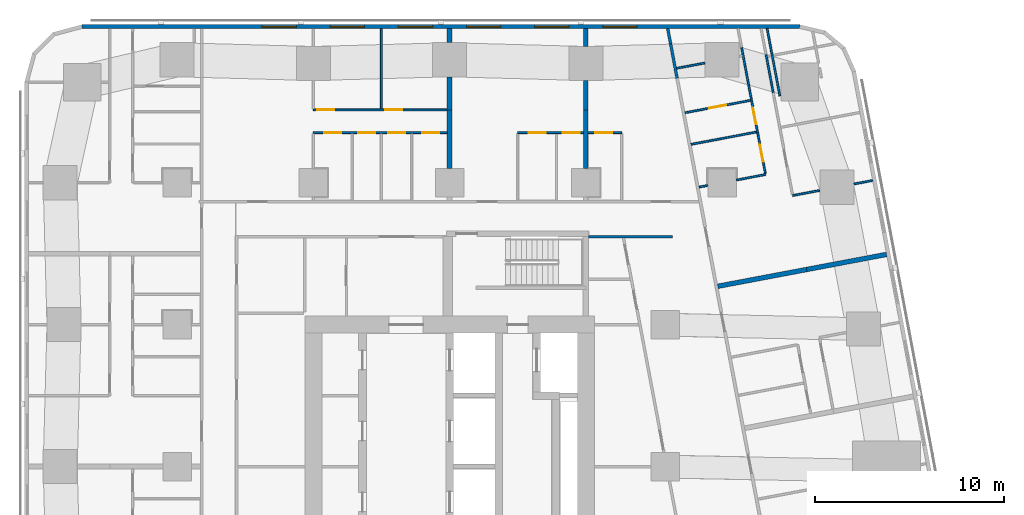
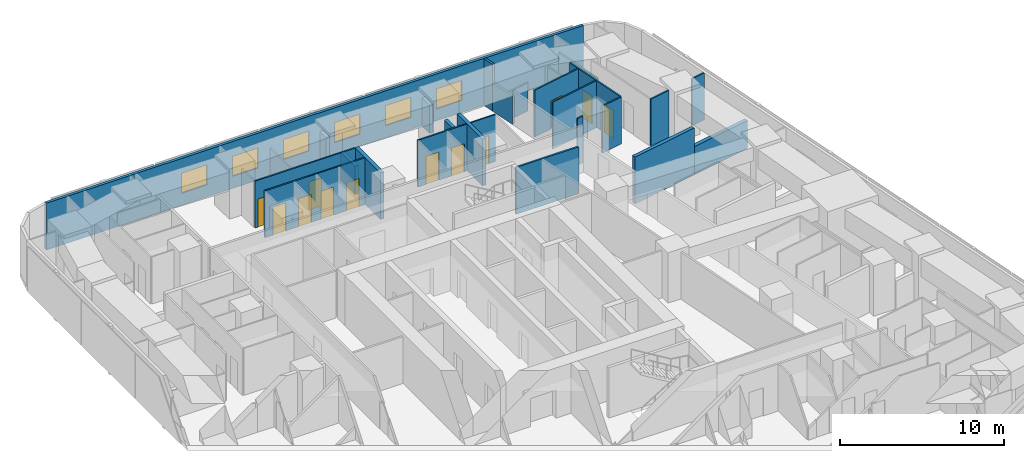
# One storey, part 10 of 15: 28 walls, 12 doors, 6 windows, 18 openings.
"""IFC4 building model written with IfcOpenShell, lengths in metres."""

from ifc_helpers import new_model, si_unit, direction, frame, frame_2d, origin, place, context, subcontext, project, spatial, rectangle, extrude, material, layer, layer_set, type_object, element, fill, save


model = new_model("IFC4")

# Units and contexts
model_context = context("Model", 3, precision=1e-05, world=origin(), true_north=direction((0.0, 1.0)))
body_context = subcontext(model_context, "Body", "Model", "MODEL_VIEW")
ifc_project = project(units=[si_unit("LENGTHUNIT", "METRE"), si_unit("AREAUNIT", "SQUARE_METRE"), si_unit("VOLUMEUNIT", "CUBIC_METRE"), si_unit("PLANEANGLEUNIT", "RADIAN"), si_unit("MASSUNIT", "GRAM", prefix="KILO")], contexts=[model_context])

# Site, building, storey
site_placement = place(None, origin())
site = spatial("IfcSite", under=ifc_project, at=site_placement, CompositionType="ELEMENT")
building_placement = place(site_placement, origin())
building = spatial("IfcBuilding", under=site, at=building_placement, Name="Sheger Commons Tower", CompositionType="ELEMENT")
storey_placement = place(building_placement, frame((0.0, 0.0, 180.800048828125)))
storey = spatial("IfcBuildingStorey", under=building, at=storey_placement, Name="L46", CompositionType="ELEMENT", Elevation=180.800048828125)

# Walls
ifc_material_1 = material(Name="Hollow concrete block masonry, skimmed both sides", Category="masonry")
ifc_layer_1 = layer(ifc_material_1, 0.14990234375)
ifc_layer_set_1 = layer_set([ifc_layer_1], Name="CORRIDOR WALL 150")
wall_type_1 = type_object("IfcWallType", Name="CORRIDOR WALL 150", PredefinedType="SOLIDWALL", material=ifc_layer_set_1)
wall_1_placement = place(storey_placement, frame((33.126953125, 45.64990234375, 0.0), z_axis=(0.0, 0.0, 1.0), x_axis=(0.186176514576, -0.982516313056, 0.0)))
element("IfcWall", 1, at=wall_1_placement, inside=storey, type_object=wall_type_1, Name="Corridor wall L46", PredefinedType="SOLIDWALL", context=body_context, shape_type="SweptSolid", body=[
    extrude(rectangle(XDim=0.827392578125, YDim=0.14990234375, at=frame_2d((0.41357421875, 0.0))), origin(), (0.0, 0.0, 1.0), 3.5),
])
wall_2_placement = place(storey_placement, frame((33.281005859375, 44.8369140625, 0.0), z_axis=(0.0, 0.0, 1.0), x_axis=(0.185198323004, -0.982701165745, 0.0)))
element("IfcWall", 2, at=wall_2_placement, inside=storey, type_object=wall_type_1, Name="Corridor wall L46", PredefinedType="SOLIDWALL", context=body_context, shape_type="SweptSolid", body=[
    extrude(rectangle(XDim=1.846923828125, YDim=0.14990234375, at=frame_2d((0.92333984375, 0.0))), origin(), (0.0, 0.0, 1.0), 2.099853515625),
])
ifc_material_2 = material(Name="Dense concrete block masonry, plastered both sides (separating wall between flats)", Category="masonry")
ifc_layer_2 = layer(ifc_material_2, 0.25)
ifc_layer_set_2 = layer_set([ifc_layer_2], Name="DEMISING WALL 250")
wall_type_2 = type_object("IfcWallType", Name="DEMISING WALL 250", PredefinedType="SOLIDWALL", material=ifc_layer_set_2)
wall_3_placement = place(storey_placement, frame((44.693115234375, 33.712890625, 0.0), z_axis=(0.0, 0.0, 1.0), x_axis=(-0.982633535512, -0.185556823879, 0.0)))
element("IfcWall", 3, at=wall_3_placement, inside=storey, type_object=wall_type_2, Name="Demising wall L46", PredefinedType="SOLIDWALL", context=body_context, shape_type="SweptSolid", body=[
    extrude(rectangle(XDim=4.2998046875, YDim=0.25, at=frame_2d((2.14990234375, 0.0))), origin(), (0.0, 0.0, 1.0), 2.099853515625),
])
wall_4_placement = place(storey_placement, frame((40.468017578125, 32.9150390625, 0.0), z_axis=(0.0, 0.0, 1.0), x_axis=(-0.982635807605, -0.185544791394, 0.0)))
element("IfcWall", 4, at=wall_4_placement, inside=storey, type_object=wall_type_2, Name="Demising wall L46", PredefinedType="SOLIDWALL", context=body_context, shape_type="SweptSolid", body=[
    extrude(rectangle(XDim=4.775146484375, YDim=0.25, at=frame_2d((2.3876953125, 0.0))), origin(), (0.0, 0.0, 1.0), 3.5),
])
wall_5_placement = place(storey_placement, frame((21.60009765625, 41.35009765625, 0.0), z_axis=(0.0, 0.0, 1.0), x_axis=(0.0, 1.0, 0.0)))
element("IfcWall", 5, at=wall_5_placement, inside=storey, type_object=wall_type_2, Name="Demising wall L46", PredefinedType="SOLIDWALL", context=body_context, shape_type="SweptSolid", body=[
    extrude(rectangle(XDim=1.7490234375, YDim=0.25, at=frame_2d((0.87451171875, 0.0))), origin(), (0.0, 0.0, 1.0), 2.099853515625),
])
wall_6_placement = place(storey_placement, frame((21.60009765625, 44.90087890625, 0.0), z_axis=(0.0, 0.0, 1.0), x_axis=(0.0, 1.0, 0.0)))
element("IfcWall", 6, at=wall_6_placement, inside=storey, type_object=wall_type_2, Name="Demising wall L46", PredefinedType="SOLIDWALL", context=body_context, shape_type="SweptSolid", body=[
    extrude(rectangle(XDim=0.7490234375, YDim=0.25, at=frame_2d((0.37451171875, 0.0))), origin(), (0.0, 0.0, 1.0), 2.099853515625),
])
wall_7_placement = place(storey_placement, frame((21.60009765625, 38.2509765625, 0.0), z_axis=(0.0, 0.0, 1.0), x_axis=(0.0, 1.0, 0.0)))
element("IfcWall", 7, at=wall_7_placement, inside=storey, type_object=wall_type_2, Name="Demising wall L46", PredefinedType="SOLIDWALL", context=body_context, shape_type="SweptSolid", body=[
    extrude(rectangle(XDim=3.09912109375, YDim=0.25, at=frame_2d((1.549560546875, 0.0))), origin(), (0.0, 0.0, 1.0), 3.5),
])
wall_8_placement = place(storey_placement, frame((28.800048828125, 41.35009765625, 0.0), z_axis=(0.0, 0.0, 1.0), x_axis=(0.0, 1.0, 0.0)))
element("IfcWall", 8, at=wall_8_placement, inside=storey, type_object=wall_type_2, Name="Demising wall L46", PredefinedType="SOLIDWALL", context=body_context, shape_type="SweptSolid", body=[
    extrude(rectangle(XDim=1.548828125, YDim=0.25, at=frame_2d((0.7744140625, 0.0))), origin(), (0.0, 0.0, 1.0), 2.099853515625),
])
wall_9_placement = place(storey_placement, frame((28.800048828125, 44.700927734375, 0.0), z_axis=(0.0, 0.0, 1.0), x_axis=(0.0, 1.0, 0.0)))
element("IfcWall", 9, at=wall_9_placement, inside=storey, type_object=wall_type_2, Name="Demising wall L46", PredefinedType="SOLIDWALL", context=body_context, shape_type="SweptSolid", body=[
    extrude(rectangle(XDim=0.948974609375, YDim=0.25, at=frame_2d((0.474609375, 0.0))), origin(), (0.0, 0.0, 1.0), 2.099853515625),
])
wall_10_placement = place(storey_placement, frame((28.800048828125, 38.2509765625, 0.0), z_axis=(0.0, 0.0, 1.0), x_axis=(0.0, 1.0, 0.0)))
element("IfcWall", 10, at=wall_10_placement, inside=storey, type_object=wall_type_2, Name="Demising wall L46", PredefinedType="SOLIDWALL", context=body_context, shape_type="SweptSolid", body=[
    extrude(rectangle(XDim=3.09912109375, YDim=0.25, at=frame_2d((1.549560546875, 0.0))), origin(), (0.0, 0.0, 1.0), 3.5),
])

# Wall, openings, windows
ifc_material_3 = material(Name="Rendered concrete block masonry, dark grey", Category="masonry")
ifc_layer_3 = layer(ifc_material_3, 0.199951171875)
ifc_layer_set_3 = layer_set([ifc_layer_3], Name="FACADE WALL 200")
wall_type_3 = type_object("IfcWallType", Name="FACADE WALL 200", PredefinedType="SOLIDWALL", material=ifc_layer_set_3)
wall_11_placement = place(storey_placement, frame((40.10595703125, 45.75, 0.0), z_axis=(0.0, 0.0, 1.0), x_axis=(-1.0, 0.0, 0.0)))
wall_11 = element("IfcWall", 11, at=wall_11_placement, inside=storey, type_object=wall_type_3, Name="Facade wall L46", PredefinedType="SOLIDWALL", context=body_context, shape_type="SweptSolid", body=[
    extrude(rectangle(XDim=37.94287109375, YDim=0.199951171875, at=frame_2d((18.971435546875, 0.0))), origin(), (0.0, 0.0, 1.0), 3.5),
])
opening_1_placement = place(wall_11_placement, frame((8.60595703125, 0.0, 0.89990234375)))
opening_1 = element("IfcOpeningElement", 12, at=opening_1_placement, cuts=wall_11, Name="Opening W2", PredefinedType="OPENING", context=body_context, shape_type="SweptSolid", body=[
    extrude(rectangle(XDim=1.800048828125, YDim=1.5, at=frame_2d((0.89990234375, 0.75))), frame((0.0, 0.10986328125, 0.0), z_axis=(0.0, -1.0, 0.0), x_axis=(1.0, 0.0, 0.0)), (0.0, 0.0, 1.0), 0.219970703125),
])
opening_2_placement = place(wall_11_placement, frame((12.2060546875, 0.0, 0.89990234375)))
opening_2 = element("IfcOpeningElement", 13, at=opening_2_placement, cuts=wall_11, Name="Opening W2", PredefinedType="OPENING", context=body_context, shape_type="SweptSolid", body=[
    extrude(rectangle(XDim=1.800048828125, YDim=1.5, at=frame_2d((0.89990234375, 0.75))), frame((0.0, 0.10986328125, 0.0), z_axis=(0.0, -1.0, 0.0), x_axis=(1.0, 0.0, 0.0)), (0.0, 0.0, 1.0), 0.219970703125),
])
opening_3_placement = place(wall_11_placement, frame((15.805908203125, 0.0, 0.89990234375)))
opening_3 = element("IfcOpeningElement", 14, at=opening_3_placement, cuts=wall_11, Name="Opening W2", PredefinedType="OPENING", context=body_context, shape_type="SweptSolid", body=[
    extrude(rectangle(XDim=1.800048828125, YDim=1.5, at=frame_2d((0.89990234375, 0.75))), frame((0.0, 0.10986328125, 0.0), z_axis=(0.0, -1.0, 0.0), x_axis=(1.0, 0.0, 0.0)), (0.0, 0.0, 1.0), 0.219970703125),
])
opening_4_placement = place(wall_11_placement, frame((19.406005859375, 0.0, 0.89990234375)))
opening_4 = element("IfcOpeningElement", 15, at=opening_4_placement, cuts=wall_11, Name="Opening W2", PredefinedType="OPENING", context=body_context, shape_type="SweptSolid", body=[
    extrude(rectangle(XDim=1.800048828125, YDim=1.5, at=frame_2d((0.89990234375, 0.75))), frame((0.0, 0.10986328125, 0.0), z_axis=(0.0, -1.0, 0.0), x_axis=(1.0, 0.0, 0.0)), (0.0, 0.0, 1.0), 0.219970703125),
])
opening_5_placement = place(wall_11_placement, frame((23.006103515625, 0.0, 0.89990234375)))
opening_5 = element("IfcOpeningElement", 16, at=opening_5_placement, cuts=wall_11, Name="Opening W2", PredefinedType="OPENING", context=body_context, shape_type="SweptSolid", body=[
    extrude(rectangle(XDim=1.800048828125, YDim=1.5, at=frame_2d((0.89990234375, 0.75))), frame((0.0, 0.10986328125, 0.0), z_axis=(0.0, -1.0, 0.0), x_axis=(1.0, 0.0, 0.0)), (0.0, 0.0, 1.0), 0.219970703125),
])
opening_6_placement = place(wall_11_placement, frame((26.60595703125, 0.0, 0.89990234375)))
opening_6 = element("IfcOpeningElement", 17, at=opening_6_placement, cuts=wall_11, Name="Opening W2", PredefinedType="OPENING", context=body_context, shape_type="SweptSolid", body=[
    extrude(rectangle(XDim=1.800048828125, YDim=1.5, at=frame_2d((0.89990234375, 0.75))), frame((0.0, 0.10986328125, 0.0), z_axis=(0.0, -1.0, 0.0), x_axis=(1.0, 0.0, 0.0)), (0.0, 0.0, 1.0), 0.219970703125),
])
ifc_material_4 = material(Name="Black aluminium frame, dark tinted double glazing", Category="aluminium")
window_type = type_object("IfcWindowType", Name="WINDOW W2 1800x1500", PartitioningType="SINGLE_PANEL", PredefinedType="WINDOW", material=ifc_material_4)
window_1_placement = place(opening_1_placement, origin())
window_1 = element("IfcWindow", 18, at=window_1_placement, inside=storey, type_object=window_type, Name="Window W2 1800X1500", OverallHeight=1.5, OverallWidth=1.800048828125, PartitioningType="SINGLE_PANEL", PredefinedType="WINDOW", context=body_context, shape_type="SweptSolid", body=[
    extrude(rectangle(XDim=1.800048828125, YDim=1.5, at=frame_2d((0.89990234375, 0.75))), frame((0.0, 0.030029296875, 0.0), z_axis=(0.0, -1.0, 0.0), x_axis=(1.0, 0.0, 0.0)), (0.0, 0.0, 1.0), 0.06005859375),
])
fill(opening_1, window_1)
window_2_placement = place(opening_2_placement, origin())
window_2 = element("IfcWindow", 19, at=window_2_placement, inside=storey, type_object=window_type, Name="Window W2 1800X1500", OverallHeight=1.5, OverallWidth=1.800048828125, PartitioningType="SINGLE_PANEL", PredefinedType="WINDOW", context=body_context, shape_type="SweptSolid", body=[
    extrude(rectangle(XDim=1.800048828125, YDim=1.5, at=frame_2d((0.89990234375, 0.75))), frame((0.0, 0.030029296875, 0.0), z_axis=(0.0, -1.0, 0.0), x_axis=(1.0, 0.0, 0.0)), (0.0, 0.0, 1.0), 0.06005859375),
])
fill(opening_2, window_2)
window_3_placement = place(opening_3_placement, origin())
window_3 = element("IfcWindow", 20, at=window_3_placement, inside=storey, type_object=window_type, Name="Window W2 1800X1500", OverallHeight=1.5, OverallWidth=1.800048828125, PartitioningType="SINGLE_PANEL", PredefinedType="WINDOW", context=body_context, shape_type="SweptSolid", body=[
    extrude(rectangle(XDim=1.800048828125, YDim=1.5, at=frame_2d((0.89990234375, 0.75))), frame((0.0, 0.030029296875, 0.0), z_axis=(0.0, -1.0, 0.0), x_axis=(1.0, 0.0, 0.0)), (0.0, 0.0, 1.0), 0.06005859375),
])
fill(opening_3, window_3)
window_4_placement = place(opening_4_placement, origin())
window_4 = element("IfcWindow", 21, at=window_4_placement, inside=storey, type_object=window_type, Name="Window W2 1800X1500", OverallHeight=1.5, OverallWidth=1.800048828125, PartitioningType="SINGLE_PANEL", PredefinedType="WINDOW", context=body_context, shape_type="SweptSolid", body=[
    extrude(rectangle(XDim=1.800048828125, YDim=1.5, at=frame_2d((0.89990234375, 0.75))), frame((0.0, 0.030029296875, 0.0), z_axis=(0.0, -1.0, 0.0), x_axis=(1.0, 0.0, 0.0)), (0.0, 0.0, 1.0), 0.06005859375),
])
fill(opening_4, window_4)
window_5_placement = place(opening_5_placement, origin())
window_5 = element("IfcWindow", 22, at=window_5_placement, inside=storey, type_object=window_type, Name="Window W2 1800X1500", OverallHeight=1.5, OverallWidth=1.800048828125, PartitioningType="SINGLE_PANEL", PredefinedType="WINDOW", context=body_context, shape_type="SweptSolid", body=[
    extrude(rectangle(XDim=1.800048828125, YDim=1.5, at=frame_2d((0.89990234375, 0.75))), frame((0.0, 0.030029296875, 0.0), z_axis=(0.0, -1.0, 0.0), x_axis=(1.0, 0.0, 0.0)), (0.0, 0.0, 1.0), 0.06005859375),
])
fill(opening_5, window_5)
window_6_placement = place(opening_6_placement, origin())
window_6 = element("IfcWindow", 23, at=window_6_placement, inside=storey, type_object=window_type, Name="Window W2 1800X1500", OverallHeight=1.5, OverallWidth=1.800048828125, PartitioningType="SINGLE_PANEL", PredefinedType="WINDOW", context=body_context, shape_type="SweptSolid", body=[
    extrude(rectangle(XDim=1.800048828125, YDim=1.5, at=frame_2d((0.89990234375, 0.75))), frame((0.0, 0.030029296875, 0.0), z_axis=(0.0, -1.0, 0.0), x_axis=(1.0, 0.0, 0.0)), (0.0, 0.0, 1.0), 0.06005859375),
])
fill(opening_6, window_6)

# Walls
ifc_material_5 = material(Name="Gypsum board on steel studs", Category="steel")
ifc_layer_4 = layer(ifc_material_5, 0.10009765625)
ifc_layer_set_4 = layer_set([ifc_layer_4], Name="PARTITION 100")
wall_type_4 = type_object("IfcWallType", Name="PARTITION 100", PredefinedType="PARTITIONING", material=ifc_layer_set_4)
wall_12_placement = place(storey_placement, frame((39.053955078125, 42.0849609375, 0.0), z_axis=(0.0, 0.0, 1.0), x_axis=(-0.185791584218, 0.982589175207, 0.0)))
element("IfcWall", 24, at=wall_12_placement, inside=storey, type_object=wall_type_4, Name="Partition L46", PredefinedType="PARTITIONING", context=body_context, shape_type="SweptSolid", body=[
    extrude(rectangle(XDim=3.628173828125, YDim=0.10009765625, at=frame_2d((1.81396484375, 0.0))), origin(), (0.0, 0.0, 1.0), 2.099853515625),
])
wall_13_placement = place(storey_placement, frame((38.318115234375, 44.298095703125, 0.0), z_axis=(0.0, 0.0, 1.0), x_axis=(0.185481135188, -0.982647825261, 0.0)))
element("IfcWall", 25, at=wall_13_placement, inside=storey, type_object=wall_type_4, Name="Partition L46", PredefinedType="PARTITIONING", context=body_context, shape_type="SweptSolid", body=[
    extrude(rectangle(XDim=2.06396484375, YDim=0.10009765625, at=frame_2d((1.031982421875, 0.0))), origin(), (0.0, 0.0, 1.0), 2.099853515625),
])
wall_14_placement = place(storey_placement, frame((37.027099609375, 44.666015625, 0.0), z_axis=(0.0, 0.0, 1.0), x_axis=(0.1855674151, -0.982631535446, 0.0)))
element("IfcWall", 26, at=wall_14_placement, inside=storey, type_object=wall_type_4, Name="Partition L46", PredefinedType="PARTITIONING", context=body_context, shape_type="SweptSolid", body=[
    extrude(rectangle(XDim=2.06298828125, YDim=0.10009765625, at=frame_2d((1.031494140625, 0.0))), origin(), (0.0, 0.0, 1.0), 2.099853515625),
])

# Wall, openings, doors
wall_15_placement = place(storey_placement, frame((37.409912109375, 42.638916015625, 0.0), z_axis=(0.0, 0.0, 1.0), x_axis=(0.185579683022, -0.982629218601, 0.0)))
wall_15 = element("IfcWall", 27, at=wall_15_placement, inside=storey, type_object=wall_type_4, Name="Partition L46", PredefinedType="PARTITIONING", context=body_context, shape_type="SweptSolid", body=[
    extrude(rectangle(XDim=4.7373046875, YDim=0.10009765625, at=frame_2d((2.36865234375, 0.0))), origin(), (0.0, 0.0, 1.0), 3.5),
])
opening_7_placement = place(wall_15_placement, frame((3.18896484375, 0.0, 0.0)))
opening_7 = element("IfcOpeningElement", 28, at=opening_7_placement, cuts=wall_15, Name="Opening D2", PredefinedType="OPENING", context=body_context, shape_type="SweptSolid", body=[
    extrude(rectangle(XDim=0.89990234375, YDim=2.10009765625, at=frame_2d((0.449951171875, 1.050048828125))), frame((0.0, 0.06005859375, 0.0), z_axis=(0.0, -1.0, 0.0), x_axis=(1.0, 0.0, 0.0)), (0.0, 0.0, 1.0), 0.1201171875),
])
opening_8_placement = place(wall_15_placement, frame((1.19091796875, 0.0, 0.0)))
opening_8 = element("IfcOpeningElement", 29, at=opening_8_placement, cuts=wall_15, Name="Opening D2", PredefinedType="OPENING", context=body_context, shape_type="SweptSolid", body=[
    extrude(rectangle(XDim=0.89990234375, YDim=2.10009765625, at=frame_2d((0.449951171875, 1.050048828125))), frame((0.0, 0.06005859375, 0.0), z_axis=(0.0, -1.0, 0.0), x_axis=(1.0, 0.0, 0.0)), (0.0, 0.0, 1.0), 0.1201171875),
])
ifc_material_6 = material(Name="Timber door set", Category="wood")
door_type = type_object("IfcDoorType", Name="INTERNAL DOOR 900x2100", OperationType="NOTDEFINED", PredefinedType="DOOR", material=ifc_material_6)
door_1_placement = place(opening_7_placement, origin())
door_1 = element("IfcDoor", 30, at=door_1_placement, inside=storey, type_object=door_type, Name="Bathroom door", OperationType="SINGLE_SWING_LEFT", OverallHeight=2.10009765625, OverallWidth=0.89990234375, PredefinedType="DOOR", context=body_context, shape_type="SweptSolid", body=[
    extrude(rectangle(XDim=0.89990234375, YDim=2.10009765625, at=frame_2d((0.449951171875, 1.050048828125))), frame((0.0, 0.02490234375, 0.0), z_axis=(0.0, -1.0, 0.0), x_axis=(1.0, 0.0, 0.0)), (0.0, 0.0, 1.0), 0.050048828125),
])
fill(opening_7, door_1)
door_2_placement = place(opening_8_placement, origin())
door_2 = element("IfcDoor", 31, at=door_2_placement, inside=storey, type_object=door_type, Name="Laundry room door", OperationType="SINGLE_SWING_LEFT", OverallHeight=2.10009765625, OverallWidth=0.89990234375, PredefinedType="DOOR", context=body_context, shape_type="SweptSolid", body=[
    extrude(rectangle(XDim=0.89990234375, YDim=2.10009765625, at=frame_2d((0.449951171875, 1.050048828125))), frame((0.0, 0.02490234375, 0.0), z_axis=(0.0, -1.0, 0.0), x_axis=(1.0, 0.0, 0.0)), (0.0, 0.0, 1.0), 0.050048828125),
])
fill(opening_8, door_2)

# Walls
wall_16_placement = place(storey_placement, frame((43.955078125, 37.6201171875, 0.0), z_axis=(0.0, 0.0, 1.0), x_axis=(-0.982666697719, -0.185381124159, 0.0)))
element("IfcWall", 32, at=wall_16_placement, inside=storey, type_object=wall_type_4, Name="Partition L46", PredefinedType="PARTITIONING", context=body_context, shape_type="SweptSolid", body=[
    extrude(rectangle(XDim=0.998291015625, YDim=0.10009765625, at=frame_2d((0.4990234375, 0.0))), origin(), (0.0, 0.0, 1.0), 3.5),
])
wall_17_placement = place(storey_placement, frame((41.154052734375, 37.091064453125, 0.0), z_axis=(0.0, 0.0, 1.0), x_axis=(-0.982617614942, -0.185641112921, 0.0)))
element("IfcWall", 33, at=wall_17_placement, inside=storey, type_object=wall_type_4, Name="Partition L46", PredefinedType="PARTITIONING", context=body_context, shape_type="SweptSolid", body=[
    extrude(rectangle(XDim=1.44921875, YDim=0.10009765625, at=frame_2d((0.724609375, 0.0))), origin(), (0.0, 0.0, 1.0), 3.5),
])
wall_18_placement = place(storey_placement, frame((35.090087890625, 43.827880859375, 0.0), z_axis=(0.0, 0.0, 1.0), x_axis=(-0.982683801717, -0.185290436461, 0.0)))
element("IfcWall", 34, at=wall_18_placement, inside=storey, type_object=wall_type_4, Name="Partition L46", PredefinedType="PARTITIONING", context=body_context, shape_type="SweptSolid", body=[
    extrude(rectangle(XDim=1.51513671875, YDim=0.10009765625, at=frame_2d((0.757568359375, 0.0))), origin(), (0.0, 0.0, 1.0), 2.099853515625),
])
wall_19_placement = place(storey_placement, frame((37.822998046875, 40.181884765625, 0.0), z_axis=(0.0, 0.0, 1.0), x_axis=(-0.98263926043, -0.185526504472, 0.0)))
element("IfcWall", 35, at=wall_19_placement, inside=storey, type_object=wall_type_4, Name="Partition L46", PredefinedType="PARTITIONING", context=body_context, shape_type="SweptSolid", body=[
    extrude(rectangle(XDim=3.524169921875, YDim=0.10009765625, at=frame_2d((1.76220703125, 0.0))), origin(), (0.0, 0.0, 1.0), 3.5),
])
wall_20_placement = place(storey_placement, frame((38.299072265625, 37.93505859375, 0.0), z_axis=(0.0, 0.0, 1.0), x_axis=(-0.98258870752, -0.18579405764, 0.0)))
element("IfcWall", 36, at=wall_20_placement, inside=storey, type_object=wall_type_4, Name="Partition L46", PredefinedType="PARTITIONING", context=body_context, shape_type="SweptSolid", body=[
    extrude(rectangle(XDim=1.56640625, YDim=0.10009765625, at=frame_2d((0.783203125, 0.0))), origin(), (0.0, 0.0, 1.0), 3.5),
])
wall_21_placement = place(storey_placement, frame((35.239990234375, 37.35693359375, 0.0), z_axis=(0.0, 0.0, 1.0), x_axis=(-0.982559813104, -0.18594680334, 0.0)))
element("IfcWall", 37, at=wall_21_placement, inside=storey, type_object=wall_type_4, Name="Partition L46", PredefinedType="PARTITIONING", context=body_context, shape_type="SweptSolid", body=[
    extrude(rectangle(XDim=0.462158203125, YDim=0.10009765625, at=frame_2d((0.23095703125, 0.0))), origin(), (0.0, 0.0, 1.0), 3.5),
])

# Wall, opening, door
wall_22_placement = place(storey_placement, frame((37.507080078125, 41.85302734375, 0.0), z_axis=(0.0, 0.0, 1.0), x_axis=(-0.982629014545, -0.18558076348, 0.0)))
wall_22 = element("IfcWall", 38, at=wall_22_placement, inside=storey, type_object=wall_type_4, Name="Partition L46", PredefinedType="PARTITIONING", context=body_context, shape_type="SweptSolid", body=[
    extrude(rectangle(XDim=3.5244140625, YDim=0.10009765625, at=frame_2d((1.76220703125, 0.0))), origin(), (0.0, 0.0, 1.0), 3.5),
])
opening_9_placement = place(wall_22_placement, frame((1.323974609375, 0.0, 0.0)))
opening_9 = element("IfcOpeningElement", 39, at=opening_9_placement, cuts=wall_22, Name="Opening D2", PredefinedType="OPENING", context=body_context, shape_type="SweptSolid", body=[
    extrude(rectangle(XDim=0.89990234375, YDim=2.10009765625, at=frame_2d((0.449951171875, 1.050048828125))), frame((0.0, 0.06005859375, 0.0), z_axis=(0.0, -1.0, 0.0), x_axis=(1.0, 0.0, 0.0)), (0.0, 0.0, 1.0), 0.1201171875),
])
door_3_placement = place(opening_9_placement, origin())
door_3 = element("IfcDoor", 40, at=door_3_placement, inside=storey, type_object=door_type, Name="Store door", OperationType="SINGLE_SWING_RIGHT", OverallHeight=2.10009765625, OverallWidth=0.89990234375, PredefinedType="DOOR", context=body_context, shape_type="SweptSolid", body=[
    extrude(rectangle(XDim=0.89990234375, YDim=2.10009765625, at=frame_2d((0.449951171875, 1.050048828125))), frame((0.0, 0.02490234375, 0.0), z_axis=(0.0, -1.0, 0.0), x_axis=(1.0, 0.0, 0.0)), (0.0, 0.0, 1.0), 0.050048828125),
])
fill(opening_9, door_3)

# Wall, openings, doors
wall_23_placement = place(storey_placement, frame((14.39990234375, 41.35009765625, 0.0), z_axis=(0.0, 0.0, 1.0), x_axis=(1.0, 0.0, 0.0)))
wall_23 = element("IfcWall", 41, at=wall_23_placement, inside=storey, type_object=wall_type_4, Name="Partition L46", PredefinedType="PARTITIONING", context=body_context, shape_type="SweptSolid", body=[
    extrude(rectangle(XDim=7.0751953125, YDim=0.10009765625, at=frame_2d((3.53759765625, 0.0))), origin(), (0.0, 0.0, 1.0), 3.5),
])
opening_10_placement = place(wall_23_placement, frame((0.199951171875, 0.0, 0.0)))
opening_10 = element("IfcOpeningElement", 42, at=opening_10_placement, cuts=wall_23, Name="Opening D2", PredefinedType="OPENING", context=body_context, shape_type="SweptSolid", body=[
    extrude(rectangle(XDim=0.89990234375, YDim=2.10009765625, at=frame_2d((0.449951171875, 1.050048828125))), frame((0.0, 0.06005859375, 0.0), z_axis=(0.0, -1.0, 0.0), x_axis=(1.0, 0.0, 0.0)), (0.0, 0.0, 1.0), 0.1201171875),
])
opening_11_placement = place(wall_23_placement, frame((3.800048828125, 0.0, 0.0)))
opening_11 = element("IfcOpeningElement", 43, at=opening_11_placement, cuts=wall_23, Name="Opening D2", PredefinedType="OPENING", context=body_context, shape_type="SweptSolid", body=[
    extrude(rectangle(XDim=0.89990234375, YDim=2.10009765625, at=frame_2d((0.449951171875, 1.050048828125))), frame((0.0, 0.06005859375, 0.0), z_axis=(0.0, -1.0, 0.0), x_axis=(1.0, 0.0, 0.0)), (0.0, 0.0, 1.0), 0.1201171875),
])
door_4_placement = place(opening_10_placement, origin())
door_4 = element("IfcDoor", 44, at=door_4_placement, inside=storey, type_object=door_type, Name="Main bedroom door", OperationType="SINGLE_SWING_LEFT", OverallHeight=2.10009765625, OverallWidth=0.89990234375, PredefinedType="DOOR", context=body_context, shape_type="SweptSolid", body=[
    extrude(rectangle(XDim=0.89990234375, YDim=2.10009765625, at=frame_2d((0.449951171875, 1.050048828125))), frame((0.0, 0.02490234375, 0.0), z_axis=(0.0, -1.0, 0.0), x_axis=(1.0, 0.0, 0.0)), (0.0, 0.0, 1.0), 0.050048828125),
])
fill(opening_10, door_4)
door_5_placement = place(opening_11_placement, origin())
door_5 = element("IfcDoor", 45, at=door_5_placement, inside=storey, type_object=door_type, Name="Bedroom 2 door", OperationType="SINGLE_SWING_LEFT", OverallHeight=2.10009765625, OverallWidth=0.89990234375, PredefinedType="DOOR", context=body_context, shape_type="SweptSolid", body=[
    extrude(rectangle(XDim=0.89990234375, YDim=2.10009765625, at=frame_2d((0.449951171875, 1.050048828125))), frame((0.0, 0.02490234375, 0.0), z_axis=(0.0, -1.0, 0.0), x_axis=(1.0, 0.0, 0.0)), (0.0, 0.0, 1.0), 0.050048828125),
])
fill(opening_11, door_5)

wall_24_placement = place(storey_placement, frame((14.39990234375, 40.14990234375, 0.0), z_axis=(0.0, 0.0, 1.0), x_axis=(1.0, 0.0, 0.0)))
wall_24 = element("IfcWall", 46, at=wall_24_placement, inside=storey, type_object=wall_type_4, Name="Partition L46", PredefinedType="PARTITIONING", context=body_context, shape_type="SweptSolid", body=[
    extrude(rectangle(XDim=7.0751953125, YDim=0.10009765625, at=frame_2d((3.53759765625, 0.0))), origin(), (0.0, 0.0, 1.0), 3.5),
])
opening_12_placement = place(wall_24_placement, frame((0.574951171875, 0.0, 0.0)))
opening_12 = element("IfcOpeningElement", 47, at=opening_12_placement, cuts=wall_24, Name="Opening D2", PredefinedType="OPENING", context=body_context, shape_type="SweptSolid", body=[
    extrude(rectangle(XDim=0.89990234375, YDim=2.10009765625, at=frame_2d((0.449951171875, 1.050048828125))), frame((0.0, 0.06005859375, 0.0), z_axis=(0.0, -1.0, 0.0), x_axis=(1.0, 0.0, 0.0)), (0.0, 0.0, 1.0), 0.1201171875),
])
opening_13_placement = place(wall_24_placement, frame((3.949951171875, 0.0, 0.0)))
opening_13 = element("IfcOpeningElement", 48, at=opening_13_placement, cuts=wall_24, Name="Opening D2", PredefinedType="OPENING", context=body_context, shape_type="SweptSolid", body=[
    extrude(rectangle(XDim=0.89990234375, YDim=2.10009765625, at=frame_2d((0.449951171875, 1.050048828125))), frame((0.0, 0.06005859375, 0.0), z_axis=(0.0, -1.0, 0.0), x_axis=(1.0, 0.0, 0.0)), (0.0, 0.0, 1.0), 0.1201171875),
])
opening_14_placement = place(wall_24_placement, frame((2.375, 0.0, 0.0)))
opening_14 = element("IfcOpeningElement", 49, at=opening_14_placement, cuts=wall_24, Name="Opening D2", PredefinedType="OPENING", context=body_context, shape_type="SweptSolid", body=[
    extrude(rectangle(XDim=0.89990234375, YDim=2.10009765625, at=frame_2d((0.449951171875, 1.050048828125))), frame((0.0, 0.06005859375, 0.0), z_axis=(0.0, -1.0, 0.0), x_axis=(1.0, 0.0, 0.0)), (0.0, 0.0, 1.0), 0.1201171875),
])
opening_15_placement = place(wall_24_placement, frame((5.75, 0.0, 0.0)))
opening_15 = element("IfcOpeningElement", 50, at=opening_15_placement, cuts=wall_24, Name="Opening D2", PredefinedType="OPENING", context=body_context, shape_type="SweptSolid", body=[
    extrude(rectangle(XDim=0.89990234375, YDim=2.10009765625, at=frame_2d((0.449951171875, 1.050048828125))), frame((0.0, 0.06005859375, 0.0), z_axis=(0.0, -1.0, 0.0), x_axis=(1.0, 0.0, 0.0)), (0.0, 0.0, 1.0), 0.1201171875),
])
door_6_placement = place(opening_12_placement, origin())
door_6 = element("IfcDoor", 51, at=door_6_placement, inside=storey, type_object=door_type, Name="Bathroom door", OperationType="SINGLE_SWING_RIGHT", OverallHeight=2.10009765625, OverallWidth=0.89990234375, PredefinedType="DOOR", context=body_context, shape_type="SweptSolid", body=[
    extrude(rectangle(XDim=0.89990234375, YDim=2.10009765625, at=frame_2d((0.449951171875, 1.050048828125))), frame((0.0, 0.02490234375, 0.0), z_axis=(0.0, -1.0, 0.0), x_axis=(1.0, 0.0, 0.0)), (0.0, 0.0, 1.0), 0.050048828125),
])
fill(opening_12, door_6)
door_7_placement = place(opening_13_placement, origin())
door_7 = element("IfcDoor", 52, at=door_7_placement, inside=storey, type_object=door_type, Name="Shower room door", OperationType="SINGLE_SWING_LEFT", OverallHeight=2.10009765625, OverallWidth=0.89990234375, PredefinedType="DOOR", context=body_context, shape_type="SweptSolid", body=[
    extrude(rectangle(XDim=0.89990234375, YDim=2.10009765625, at=frame_2d((0.449951171875, 1.050048828125))), frame((0.0, 0.02490234375, 0.0), z_axis=(0.0, -1.0, 0.0), x_axis=(1.0, 0.0, 0.0)), (0.0, 0.0, 1.0), 0.050048828125),
])
fill(opening_13, door_7)
door_8_placement = place(opening_14_placement, origin())
door_8 = element("IfcDoor", 53, at=door_8_placement, inside=storey, type_object=door_type, Name="Store door", OperationType="SINGLE_SWING_LEFT", OverallHeight=2.10009765625, OverallWidth=0.89990234375, PredefinedType="DOOR", context=body_context, shape_type="SweptSolid", body=[
    extrude(rectangle(XDim=0.89990234375, YDim=2.10009765625, at=frame_2d((0.449951171875, 1.050048828125))), frame((0.0, 0.02490234375, 0.0), z_axis=(0.0, -1.0, 0.0), x_axis=(1.0, 0.0, 0.0)), (0.0, 0.0, 1.0), 0.050048828125),
])
fill(opening_14, door_8)
door_9_placement = place(opening_15_placement, origin())
door_9 = element("IfcDoor", 54, at=door_9_placement, inside=storey, type_object=door_type, Name="Store door", OperationType="SINGLE_SWING_LEFT", OverallHeight=2.10009765625, OverallWidth=0.89990234375, PredefinedType="DOOR", context=body_context, shape_type="SweptSolid", body=[
    extrude(rectangle(XDim=0.89990234375, YDim=2.10009765625, at=frame_2d((0.449951171875, 1.050048828125))), frame((0.0, 0.02490234375, 0.0), z_axis=(0.0, -1.0, 0.0), x_axis=(1.0, 0.0, 0.0)), (0.0, 0.0, 1.0), 0.050048828125),
])
fill(opening_15, door_9)

# Wall
wall_25_placement = place(storey_placement, frame((18.0, 41.39990234375, 0.0), z_axis=(0.0, 0.0, 1.0), x_axis=(0.0, 1.0, 0.0)))
element("IfcWall", 55, at=wall_25_placement, inside=storey, type_object=wall_type_4, Name="Partition L46", PredefinedType="PARTITIONING", context=body_context, shape_type="SweptSolid", body=[
    extrude(rectangle(XDim=4.25, YDim=0.10009765625, at=frame_2d((2.125, 0.0))), origin(), (0.0, 0.0, 1.0), 2.099853515625),
])

# Wall, openings, doors
wall_26_placement = place(storey_placement, frame((25.199951171875, 40.14990234375, 0.0), z_axis=(0.0, 0.0, 1.0), x_axis=(1.0, 0.0, 0.0)))
wall_26 = element("IfcWall", 56, at=wall_26_placement, inside=storey, type_object=wall_type_4, Name="Partition L46", PredefinedType="PARTITIONING", context=body_context, shape_type="SweptSolid", body=[
    extrude(rectangle(XDim=3.47509765625, YDim=0.10009765625, at=frame_2d((1.737548828125, 0.0))), origin(), (0.0, 0.0, 1.0), 3.5),
])
opening_16_placement = place(wall_26_placement, frame((0.574951171875, 0.0, 0.0)))
opening_16 = element("IfcOpeningElement", 57, at=opening_16_placement, cuts=wall_26, Name="Opening D2", PredefinedType="OPENING", context=body_context, shape_type="SweptSolid", body=[
    extrude(rectangle(XDim=0.89990234375, YDim=2.10009765625, at=frame_2d((0.449951171875, 1.050048828125))), frame((0.0, 0.06005859375, 0.0), z_axis=(0.0, -1.0, 0.0), x_axis=(1.0, 0.0, 0.0)), (0.0, 0.0, 1.0), 0.1201171875),
])
opening_17_placement = place(wall_26_placement, frame((2.375, 0.0, 0.0)))
opening_17 = element("IfcOpeningElement", 58, at=opening_17_placement, cuts=wall_26, Name="Opening D2", PredefinedType="OPENING", context=body_context, shape_type="SweptSolid", body=[
    extrude(rectangle(XDim=0.89990234375, YDim=2.10009765625, at=frame_2d((0.449951171875, 1.050048828125))), frame((0.0, 0.06005859375, 0.0), z_axis=(0.0, -1.0, 0.0), x_axis=(1.0, 0.0, 0.0)), (0.0, 0.0, 1.0), 0.1201171875),
])
door_10_placement = place(opening_16_placement, origin())
door_10 = element("IfcDoor", 59, at=door_10_placement, inside=storey, type_object=door_type, Name="Bathroom door", OperationType="SINGLE_SWING_RIGHT", OverallHeight=2.10009765625, OverallWidth=0.89990234375, PredefinedType="DOOR", context=body_context, shape_type="SweptSolid", body=[
    extrude(rectangle(XDim=0.89990234375, YDim=2.10009765625, at=frame_2d((0.449951171875, 1.050048828125))), frame((0.0, 0.02490234375, 0.0), z_axis=(0.0, -1.0, 0.0), x_axis=(1.0, 0.0, 0.0)), (0.0, 0.0, 1.0), 0.050048828125),
])
fill(opening_16, door_10)
door_11_placement = place(opening_17_placement, origin())
door_11 = element("IfcDoor", 60, at=door_11_placement, inside=storey, type_object=door_type, Name="Store door", OperationType="SINGLE_SWING_LEFT", OverallHeight=2.10009765625, OverallWidth=0.89990234375, PredefinedType="DOOR", context=body_context, shape_type="SweptSolid", body=[
    extrude(rectangle(XDim=0.89990234375, YDim=2.10009765625, at=frame_2d((0.449951171875, 1.050048828125))), frame((0.0, 0.02490234375, 0.0), z_axis=(0.0, -1.0, 0.0), x_axis=(1.0, 0.0, 0.0)), (0.0, 0.0, 1.0), 0.050048828125),
])
fill(opening_17, door_11)

# Wall, opening, door
wall_27_placement = place(storey_placement, frame((28.925048828125, 40.14990234375, 0.0), z_axis=(0.0, 0.0, 1.0), x_axis=(1.0, 0.0, 0.0)))
wall_27 = element("IfcWall", 61, at=wall_27_placement, inside=storey, type_object=wall_type_4, Name="Partition L46", PredefinedType="PARTITIONING", context=body_context, shape_type="SweptSolid", body=[
    extrude(rectangle(XDim=1.764892578125, YDim=0.10009765625, at=frame_2d((0.88232421875, 0.0))), origin(), (0.0, 0.0, 1.0), 3.5),
])
opening_18_placement = place(wall_27_placement, frame((0.375, 0.0, 0.0)))
opening_18 = element("IfcOpeningElement", 62, at=opening_18_placement, cuts=wall_27, Name="Opening D2", PredefinedType="OPENING", context=body_context, shape_type="SweptSolid", body=[
    extrude(rectangle(XDim=0.89990234375, YDim=2.10009765625, at=frame_2d((0.449951171875, 1.050048828125))), frame((0.0, 0.06005859375, 0.0), z_axis=(0.0, -1.0, 0.0), x_axis=(1.0, 0.0, 0.0)), (0.0, 0.0, 1.0), 0.1201171875),
])
door_12_placement = place(opening_18_placement, origin())
door_12 = element("IfcDoor", 63, at=door_12_placement, inside=storey, type_object=door_type, Name="Shower room door", OperationType="SINGLE_SWING_RIGHT", OverallHeight=2.10009765625, OverallWidth=0.89990234375, PredefinedType="DOOR", context=body_context, shape_type="SweptSolid", body=[
    extrude(rectangle(XDim=0.89990234375, YDim=2.10009765625, at=frame_2d((0.449951171875, 1.050048828125))), frame((0.0, 0.02490234375, 0.0), z_axis=(0.0, -1.0, 0.0), x_axis=(1.0, 0.0, 0.0)), (0.0, 0.0, 1.0), 0.050048828125),
])
fill(opening_18, door_12)

# Wall
ifc_material_7 = material(Name="Gypsum board on steel studs, two layers each side, fire rated", Category="steel")
ifc_layer_5 = layer(ifc_material_7, 0.125)
ifc_layer_set_5 = layer_set([ifc_layer_5], Name="SERVICE WALL 125")
wall_type_5 = type_object("IfcWallType", Name="SERVICE WALL 125", PredefinedType="PARTITIONING", material=ifc_layer_set_5)
wall_28_placement = place(storey_placement, frame((28.949951171875, 34.64990234375, 0.0), z_axis=(0.0, 0.0, 1.0), x_axis=(1.0, 0.0, 0.0)))
element("IfcWall", 64, at=wall_28_placement, inside=storey, type_object=wall_type_5, Name="Service room wall L46", PredefinedType="PARTITIONING", context=body_context, shape_type="SweptSolid", body=[
    extrude(rectangle(XDim=4.423095703125, YDim=0.125, at=frame_2d((2.21142578125, 0.0))), origin(), (0.0, 0.0, 1.0), 3.5),
])

save(model, "model.ifc")
